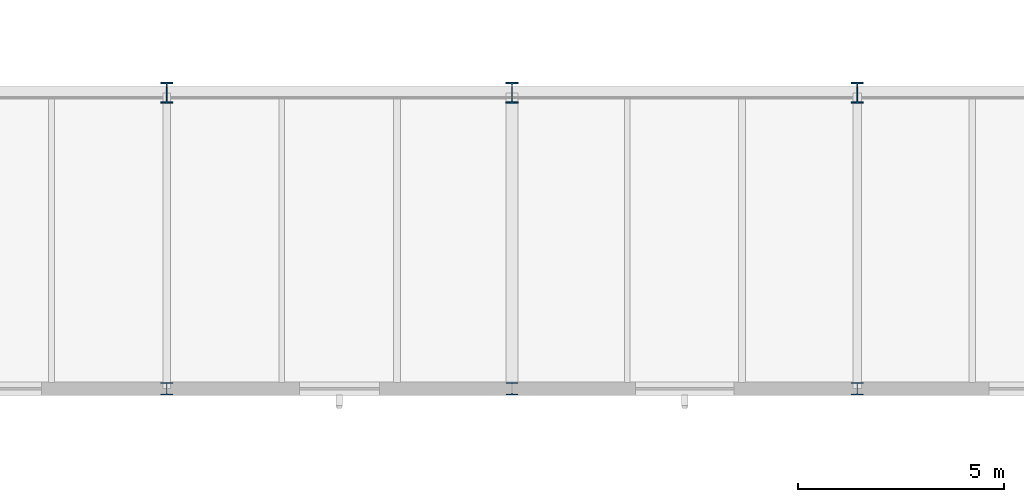
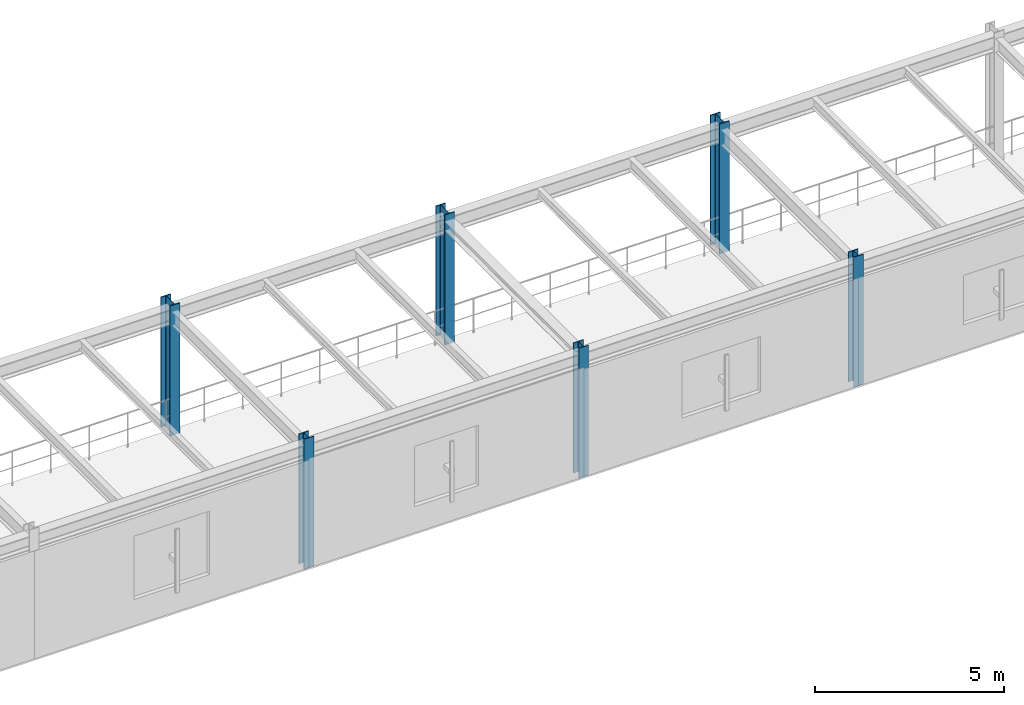
# One storey, part 13 of 109: 6 columns.
"""IFC4 building model written with IfcOpenShell, lengths in metres."""

from ifc_helpers import new_model, si_unit, derived_unit, direction, frame, origin, origin_2d, place, context, subcontext, project, spatial, i_section, extrude, material, material_profile, profile_set, type_object, element, save


model = new_model("IFC4")

# Units and contexts
model_context = context("Model", 3, precision=1e-05, world=origin(), true_north=direction((0.0, 1.0)))
body_context = subcontext(model_context, "Body", "Model", "MODEL_VIEW")
ifc_project = project(units=[si_unit("LENGTHUNIT", "METRE"), si_unit("AREAUNIT", "SQUARE_METRE"), si_unit("VOLUMEUNIT", "CUBIC_METRE"), si_unit("PLANEANGLEUNIT", "RADIAN"), si_unit("MASSUNIT", "GRAM", prefix="KILO"), derived_unit("THERMALTRANSMITTANCEUNIT", [(si_unit("MASSUNIT", "GRAM", prefix="KILO"), 1), (si_unit("TIMEUNIT", "SECOND"), -3), (si_unit("THERMODYNAMICTEMPERATUREUNIT", "KELVIN"), -1)])], contexts=[model_context])

# Site, building, storey
site_placement = place(None, origin())
site = spatial("IfcSite", under=ifc_project, at=site_placement, CompositionType="ELEMENT")
building_placement = place(site_placement, origin())
building = spatial("IfcBuilding", under=site, at=building_placement, Name="Kharveza Railside Sports Centre", CompositionType="ELEMENT")
storey_placement = place(building_placement, frame((0.0, 0.0, 4.5)))
storey = spatial("IfcBuildingStorey", under=building, at=storey_placement, Name="L01", CompositionType="ELEMENT", Elevation=4.5)

# Columns
ifc_material = material(Name="Steel S355J2", Category="steel")
ifc_material_profile_1 = material_profile(ifc_material, i_section(OverallWidth=0.300048828125, OverallDepth=0.5, WebThickness=0.014404296875, FlangeThickness=0.028076171875, FilletRadius=0.027099609375, at=origin_2d()), Name="HEB 500")
ifc_profile_set_1 = profile_set([ifc_material_profile_1], Name="Steel S355J2")
column_type_1 = type_object("IfcColumnType", Name="COL-S03", PredefinedType="COLUMN", material=ifc_profile_set_1)
for number, where, z_axis, x_axis, name in (
    (1, (109.199951171875, 79.199951171875, 0.0), (0.0, 0.0, 1.0), (1.0, 0.0, 0.0), "COL-G-C03-X1092-Y792-L01"),
    (2, (117.60009765625, 79.199951171875, 0.0), (0.0, 0.0, 1.0), (1.0, 0.0, 0.0), "COL-G-C03-X1176-Y792-L01"),
    (3, (126.0, 79.199951171875, 0.0), (0.0, 0.0, 1.0), (1.0, 0.0, 0.0), "COL-G-C03-X1260-Y792-L01"),
):
    element("IfcColumn", number, at=place(storey_placement, frame(where, z_axis=z_axis, x_axis=x_axis)), inside=storey, type_object=column_type_1, Name=name, PredefinedType="COLUMN", context=body_context, shape_type="SweptSolid", body=[
        extrude(i_section(OverallWidth=0.300048828125, OverallDepth=0.5, WebThickness=0.014404296875, FlangeThickness=0.028076171875, FilletRadius=0.027099609375, at=origin_2d()), origin(), (0.0, 0.0, 1.0), 4.199951171875),
    ])
ifc_material_profile_2 = material_profile(ifc_material, i_section(OverallWidth=0.300048828125, OverallDepth=0.300048828125, WebThickness=0.010986328125, FlangeThickness=0.01904296875, FilletRadius=0.027099609375, at=origin_2d()), Name="HEB 300")
ifc_profile_set_2 = profile_set([ifc_material_profile_2], Name="Steel S355J2")
column_type_2 = type_object("IfcColumnType", Name="COL-S07", PredefinedType="COLUMN", material=ifc_profile_set_2)
for number, where, z_axis, x_axis, name in (
    (4, (109.199951171875, 72.0, 0.0), (0.0, 0.0, 1.0), (1.0, 0.0, 0.0), "COL-G-C07-X1092-Y720-L01"),
    (5, (117.60009765625, 72.0, 0.0), (0.0, 0.0, 1.0), (1.0, 0.0, 0.0), "COL-G-C07-X1176-Y720-L01"),
    (6, (126.0, 72.0, 0.0), (0.0, 0.0, 1.0), (1.0, 0.0, 0.0), "COL-G-C07-X1260-Y720-L01"),
):
    element("IfcColumn", number, at=place(storey_placement, frame(where, z_axis=z_axis, x_axis=x_axis)), inside=storey, type_object=column_type_2, Name=name, PredefinedType="COLUMN", context=body_context, shape_type="SweptSolid", body=[
        extrude(i_section(OverallWidth=0.300048828125, OverallDepth=0.300048828125, WebThickness=0.010986328125, FlangeThickness=0.01904296875, FilletRadius=0.027099609375, at=origin_2d()), origin(), (0.0, 0.0, 1.0), 4.199951171875),
    ])

save(model, "model.ifc")
